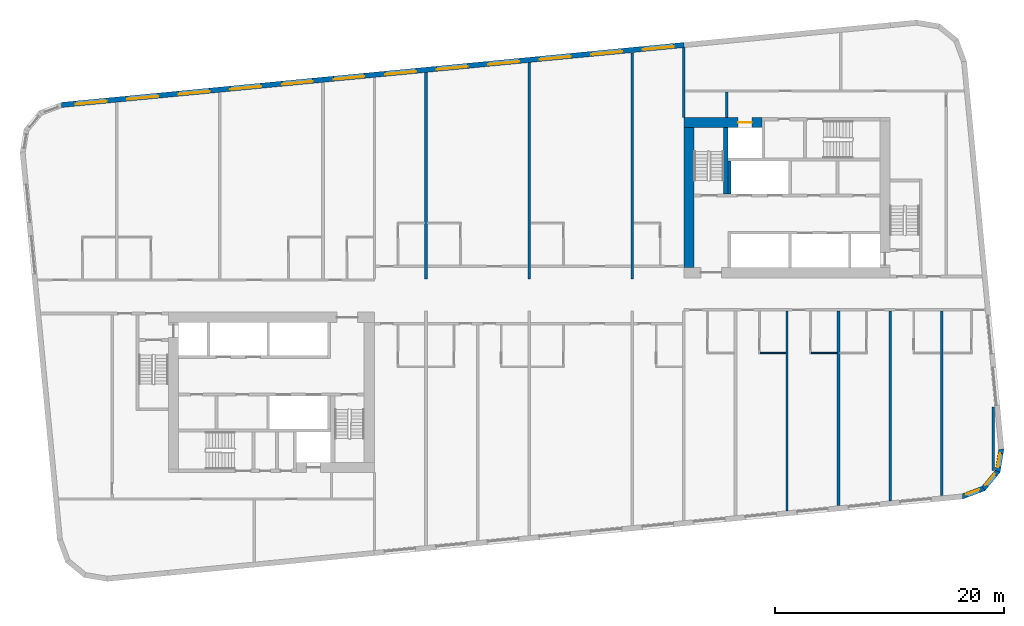
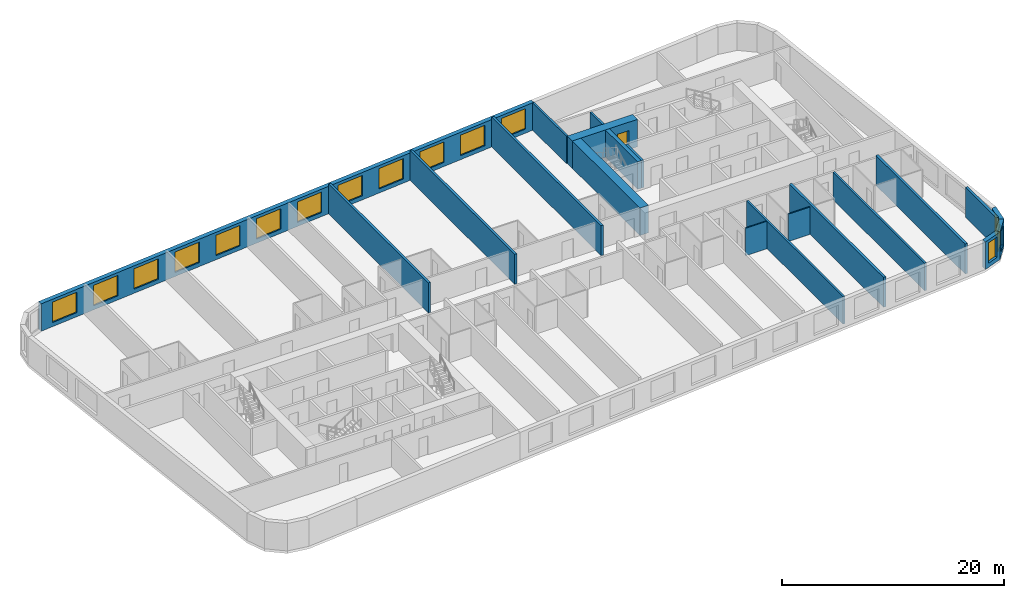
# One storey, part 6 of 12: 20 walls, 15 windows, 1 door, 16 openings.
"""IFC4 building model written with IfcOpenShell, lengths in metres."""

from ifc_helpers import new_model, si_unit, direction, frame, frame_2d, origin, place, context, subcontext, project, spatial, polyline, rectangle, outline, extrude, material, layer, layer_set, type_object, element, fill, save


model = new_model("IFC4")

# Units and contexts
model_context = context("Model", 3, precision=1e-05, world=origin(), true_north=direction((0.0, 1.0)))
body_context = subcontext(model_context, "Body", "Model", "MODEL_VIEW")
ifc_project = project(units=[si_unit("LENGTHUNIT", "METRE"), si_unit("AREAUNIT", "SQUARE_METRE"), si_unit("VOLUMEUNIT", "CUBIC_METRE"), si_unit("PLANEANGLEUNIT", "RADIAN"), si_unit("MASSUNIT", "GRAM", prefix="KILO")], contexts=[model_context])

# Site, building, storey
site_placement = place(None, origin())
site = spatial("IfcSite", under=ifc_project, at=site_placement, CompositionType="ELEMENT")
building_placement = place(site_placement, origin())
building = spatial("IfcBuilding", under=site, at=building_placement, Name="Kajstack Hotel Tower", CompositionType="ELEMENT")
storey_placement = place(building_placement, frame((0.0, 0.0, 190.0)))
storey = spatial("IfcBuildingStorey", under=building, at=storey_placement, Name="L45", CompositionType="ELEMENT", Elevation=190.0)

# Wall, opening, door
ifc_material_1 = material(Name="Concrete C60/75", Category="concrete")
ifc_layer_1 = layer(ifc_material_1, 0.89990234375)
ifc_layer_set_1 = layer_set([ifc_layer_1], Name="Core wall 900")
wall_type_1 = type_object("IfcWallType", Name="Core wall 900", PredefinedType="SHEAR", material=ifc_layer_set_1)
wall_1_placement = place(storey_placement, frame((13.5, 15.050048828125, 0.0), z_axis=(0.0, 0.0, 1.0), x_axis=(1.0, 0.0, 0.0)))
wall_1 = element("IfcWall", 1, at=wall_1_placement, inside=storey, type_object=wall_type_1, Name="Core wall E RS", PredefinedType="SHEAR", context=body_context, shape_type="SweptSolid", body=[
    extrude(rectangle(XDim=6.800048828125, YDim=0.89990234375, at=frame_2d((3.39990234375, 0.0))), origin(), (0.0, 0.0, 1.0), 3.02001953125),
])
opening_1_placement = place(wall_1_placement, frame((4.72509765625, 0.0, 0.0)))
opening_1 = element("IfcOpeningElement", 2, at=opening_1_placement, cuts=wall_1, Name="Opening LD-SV2", PredefinedType="OPENING", context=body_context, shape_type="SweptSolid", body=[
    extrude(rectangle(XDim=1.199951171875, YDim=2.10009765625, at=frame_2d((0.60009765625, 1.050048828125))), frame((0.0, 0.4599609375, 0.0), z_axis=(0.0, -1.0, 0.0), x_axis=(1.0, 0.0, 0.0)), (0.0, 0.0, 1.0), 0.919921875),
])
ifc_material_2 = material(Name="Stainless steel", Category="steel")
door_type = type_object("IfcDoorType", Name="Lift landing door 1200", OperationType="SLIDING_TO_LEFT", PredefinedType="DOOR", material=ifc_material_2)
door_placement = place(opening_1_placement, origin())
door = element("IfcDoor", 3, at=door_placement, inside=storey, type_object=door_type, Name="Landing door SV2", OperationType="SLIDING_TO_LEFT", OverallHeight=2.10009765625, OverallWidth=1.199951171875, PredefinedType="DOOR", context=body_context, shape_type="SweptSolid", body=[
    extrude(rectangle(XDim=1.199951171875, YDim=2.10009765625, at=frame_2d((0.60009765625, 1.050048828125))), frame((0.0, 0.02490234375, 0.0), z_axis=(0.0, -1.0, 0.0), x_axis=(1.0, 0.0, 0.0)), (0.0, 0.0, 1.0), 0.050048828125),
])
fill(opening_1, door)

# Walls
wall_2_placement = place(storey_placement, frame((13.949951171875, 2.39990234375, 0.0), z_axis=(0.0, 0.0, 1.0), x_axis=(0.0, 1.0, 0.0)))
element("IfcWall", 4, at=wall_2_placement, inside=storey, type_object=wall_type_1, Name="Core wall E RE", PredefinedType="SHEAR", context=body_context, shape_type="SweptSolid", body=[
    extrude(rectangle(XDim=12.2001953125, YDim=0.89990234375, at=frame_2d((6.10009765625, 0.0))), origin(), (0.0, 0.0, 1.0), 3.02001953125),
])
ifc_material_3 = material(Name="Twin-frame gypsum board on steel studs, mineral wool", Category="steel")
ifc_layer_2 = layer(ifc_material_3, 0.199951171875)
ifc_layer_set_2 = layer_set([ifc_layer_2], Name="Demising wall 200")
wall_type_2 = type_object("IfcWallType", Name="Demising wall 200", PredefinedType="PARTITIONING", material=ifc_layer_set_2)
wall_3_placement = place(storey_placement, frame((13.5, 15.5, 0.0), z_axis=(0.0, 0.0, 1.0), x_axis=(0.0, 1.0, 0.0)))
element("IfcWall", 5, at=wall_3_placement, inside=storey, type_object=wall_type_2, Name="G-wall-L45-001", PredefinedType="PARTITIONING", context=body_context, shape_type="SweptSolid", body=[
    extrude(rectangle(XDim=6.089111328125, YDim=0.199951171875, at=frame_2d((3.04443359375, 0.0))), origin(), (0.0, 0.0, 1.0), 3.02001953125),
])
wall_4_placement = place(storey_placement, frame((22.5, -18.833984375, 0.0), z_axis=(0.0, 0.0, 1.0), x_axis=(0.0, 1.0, 0.0)))
element("IfcWall", 6, at=wall_4_placement, inside=storey, type_object=wall_type_2, Name="G-wall-L45-038", PredefinedType="PARTITIONING", context=body_context, shape_type="SweptSolid", body=[
    extrude(rectangle(XDim=17.43408203125, YDim=0.199951171875, at=frame_2d((8.717041015625, 0.0))), origin(), (0.0, 0.0, 1.0), 3.02001953125),
])
wall_5_placement = place(storey_placement, frame((31.5, -17.967041015625, 0.0), z_axis=(0.0, 0.0, 1.0), x_axis=(0.0, 1.0, 0.0)))
element("IfcWall", 7, at=wall_5_placement, inside=storey, type_object=wall_type_2, Name="G-wall-L45-043", PredefinedType="PARTITIONING", context=body_context, shape_type="SweptSolid", body=[
    extrude(rectangle(XDim=16.567138671875, YDim=0.199951171875, at=frame_2d((8.28369140625, 0.0))), origin(), (0.0, 0.0, 1.0), 3.02001953125),
])

# Wall, opening, window
ifc_material_4 = material(Name="Terracotta-faced brick masonry", Category="masonry")
ifc_layer_3 = layer(ifc_material_4, 0.449951171875)
ifc_layer_set_3 = layer_set([ifc_layer_3], Name="EW-TERRA")
wall_type_3 = type_object("IfcWallType", Name="EW-TERRA", PredefinedType="SOLIDWALL", material=ifc_layer_set_3)
wall_6_placement = place(storey_placement, frame((37.76123046875, -17.598388671875, 0.0), z_axis=(0.0, 0.0, 1.0), x_axis=(0.936677599948, 0.350192909346, 0.0)))
wall_6 = element("IfcWall", 8, at=wall_6_placement, inside=storey, type_object=wall_type_3, Name="E-wall-L45-05-00", PredefinedType="SOLIDWALL", context=body_context, shape_type="SweptSolid", body=[
    extrude(outline(polyline([(0.0, -0.22509765625), (2.070556640625, -0.224853515625), (1.949951171875, 0.22509765625), (0.12060546875, 0.22509765625), (0.0, -0.22509765625)])), origin(), (0.0, 0.0, 1.0), 3.02001953125),
])
opening_2_placement = place(wall_6_placement, frame((0.435302734375, 0.0, 0.449951171875)))
opening_2 = element("IfcOpeningElement", 9, at=opening_2_placement, cuts=wall_6, Name="Opening W3", PredefinedType="OPENING", context=body_context, shape_type="SweptSolid", body=[
    extrude(rectangle(XDim=1.199951171875, YDim=2.25, at=frame_2d((0.60009765625, 1.125))), frame((0.0, 0.23486328125, 0.0), z_axis=(0.0, -1.0, 0.0), x_axis=(1.0, 0.0, 0.0)), (0.0, 0.0, 1.0), 0.469970703125),
])
ifc_material_5 = material(Name="Timber-aluminium window, triple glazed", Category="wood")
window_type_1 = type_object("IfcWindowType", Name="WG3", PartitioningType="SINGLE_PANEL", PredefinedType="WINDOW", material=ifc_material_5)
window_1_placement = place(opening_2_placement, origin())
window_1 = element("IfcWindow", 10, at=window_1_placement, inside=storey, type_object=window_type_1, Name="Window W3 L45-05", OverallHeight=2.25, OverallWidth=1.199951171875, PartitioningType="SINGLE_PANEL", PredefinedType="WINDOW", context=body_context, shape_type="SweptSolid", body=[
    extrude(rectangle(XDim=1.199951171875, YDim=2.25, at=frame_2d((0.60009765625, 1.125))), frame((0.0, 0.090087890625, 0.0), z_axis=(0.0, -1.0, 0.0), x_axis=(1.0, 0.0, 0.0)), (0.0, 0.0, 1.0), 0.06005859375),
])
fill(opening_2, window_1)

wall_7_placement = place(storey_placement, frame((39.60595703125, -16.94091796875, 0.0), z_axis=(0.0, 0.0, 1.0), x_axis=(0.636116318187, 0.771593176315, 0.0)))
wall_7 = element("IfcWall", 11, at=wall_7_placement, inside=storey, type_object=wall_type_3, Name="E-wall-L45-06-00", PredefinedType="SOLIDWALL", context=body_context, shape_type="SweptSolid", body=[
    extrude(outline(polyline([(0.0, -0.224853515625), (2.070556640625, -0.224853515625), (1.949951171875, 0.22509765625), (0.12060546875, 0.22509765625), (0.0, -0.224853515625)])), origin(), (0.0, 0.0, 1.0), 3.02001953125),
])
opening_3_placement = place(wall_7_placement, frame((0.435302734375, 0.0, 0.449951171875)))
opening_3 = element("IfcOpeningElement", 12, at=opening_3_placement, cuts=wall_7, Name="Opening W3", PredefinedType="OPENING", context=body_context, shape_type="SweptSolid", body=[
    extrude(rectangle(XDim=1.199951171875, YDim=2.25, at=frame_2d((0.60009765625, 1.125))), frame((0.0, 0.23486328125, 0.0), z_axis=(0.0, -1.0, 0.0), x_axis=(1.0, 0.0, 0.0)), (0.0, 0.0, 1.0), 0.469970703125),
])
window_2_placement = place(opening_3_placement, origin())
window_2 = element("IfcWindow", 13, at=window_2_placement, inside=storey, type_object=window_type_1, Name="Window W3 L45-06", OverallHeight=2.25, OverallWidth=1.199951171875, PartitioningType="SINGLE_PANEL", PredefinedType="WINDOW", context=body_context, shape_type="SweptSolid", body=[
    extrude(rectangle(XDim=1.199951171875, YDim=2.25, at=frame_2d((0.60009765625, 1.125))), frame((0.0, 0.090087890625, 0.0), z_axis=(0.0, -1.0, 0.0), x_axis=(1.0, 0.0, 0.0)), (0.0, 0.0, 1.0), 0.06005859375),
])
fill(opening_3, window_2)

wall_8_placement = place(storey_placement, frame((40.874755859375, -15.44921875, 0.0), z_axis=(0.0, 0.0, 1.0), x_axis=(0.164953448126, 0.986301353518, 0.0)))
wall_8 = element("IfcWall", 14, at=wall_8_placement, inside=storey, type_object=wall_type_3, Name="E-wall-L45-07-00", PredefinedType="SOLIDWALL", context=body_context, shape_type="SweptSolid", body=[
    extrude(outline(polyline([(0.0, -0.224853515625), (2.070556640625, -0.22509765625), (1.9501953125, 0.224853515625), (0.12060546875, 0.22509765625), (0.0, -0.224853515625)])), origin(), (0.0, 0.0, 1.0), 3.02001953125),
])
opening_4_placement = place(wall_8_placement, frame((0.435302734375, 0.0, 0.449951171875)))
opening_4 = element("IfcOpeningElement", 15, at=opening_4_placement, cuts=wall_8, Name="Opening W3", PredefinedType="OPENING", context=body_context, shape_type="SweptSolid", body=[
    extrude(rectangle(XDim=1.199951171875, YDim=2.25, at=frame_2d((0.60009765625, 1.125))), frame((0.0, 0.23486328125, 0.0), z_axis=(0.0, -1.0, 0.0), x_axis=(1.0, 0.0, 0.0)), (0.0, 0.0, 1.0), 0.469970703125),
])
window_3_placement = place(opening_4_placement, origin())
window_3 = element("IfcWindow", 16, at=window_3_placement, inside=storey, type_object=window_type_1, Name="Window W3 L45-07", OverallHeight=2.25, OverallWidth=1.199951171875, PartitioningType="SINGLE_PANEL", PredefinedType="WINDOW", context=body_context, shape_type="SweptSolid", body=[
    extrude(rectangle(XDim=1.199951171875, YDim=2.25, at=frame_2d((0.60009765625, 1.125))), frame((0.0, 0.090087890625, 0.0), z_axis=(0.0, -1.0, 0.0), x_axis=(1.0, 0.0, 0.0)), (0.0, 0.0, 1.0), 0.06005859375),
])
fill(opening_4, window_3)

# Wall, openings, windows
wall_9_placement = place(storey_placement, frame((13.521484375, 21.8173828125, 0.0), z_axis=(0.0, 0.0, 1.0), x_axis=(-0.995396508751, -0.095842529008, 0.0)))
wall_9 = element("IfcWall", 17, at=wall_9_placement, inside=storey, type_object=wall_type_3, Name="E-wall-L45-12-02", PredefinedType="SOLIDWALL", context=body_context, shape_type="SweptSolid", body=[
    extrude(rectangle(XDim=54.59130859375, YDim=0.449951171875, at=frame_2d((27.295654296875, 0.0))), origin(), (0.0, 0.0, 1.0), 3.02001953125),
])
opening_5_placement = place(wall_9_placement, frame((0.910400390625, 0.0, 0.449951171875)))
opening_5 = element("IfcOpeningElement", 18, at=opening_5_placement, cuts=wall_9, Name="Opening W1", PredefinedType="OPENING", context=body_context, shape_type="SweptSolid", body=[
    extrude(rectangle(XDim=2.699951171875, YDim=2.25, at=frame_2d((1.35009765625, 1.125))), frame((0.0, 0.23486328125, 0.0), z_axis=(0.0, -1.0, 0.0), x_axis=(1.0, 0.0, 0.0)), (0.0, 0.0, 1.0), 0.469970703125),
])
opening_6_placement = place(wall_9_placement, frame((5.43115234375, 0.0, 0.449951171875)))
opening_6 = element("IfcOpeningElement", 19, at=opening_6_placement, cuts=wall_9, Name="Opening W1", PredefinedType="OPENING", context=body_context, shape_type="SweptSolid", body=[
    extrude(rectangle(XDim=2.699951171875, YDim=2.25, at=frame_2d((1.35009765625, 1.125))), frame((0.0, 0.23486328125, 0.0), z_axis=(0.0, -1.0, 0.0), x_axis=(1.0, 0.0, 0.0)), (0.0, 0.0, 1.0), 0.469970703125),
])
opening_7_placement = place(wall_9_placement, frame((9.951904296875, 0.0, 0.449951171875)))
opening_7 = element("IfcOpeningElement", 20, at=opening_7_placement, cuts=wall_9, Name="Opening W1", PredefinedType="OPENING", context=body_context, shape_type="SweptSolid", body=[
    extrude(rectangle(XDim=2.699951171875, YDim=2.25, at=frame_2d((1.35009765625, 1.125))), frame((0.0, 0.23486328125, 0.0), z_axis=(0.0, -1.0, 0.0), x_axis=(1.0, 0.0, 0.0)), (0.0, 0.0, 1.0), 0.469970703125),
])
opening_8_placement = place(wall_9_placement, frame((14.472900390625, 0.0, 0.449951171875)))
opening_8 = element("IfcOpeningElement", 21, at=opening_8_placement, cuts=wall_9, Name="Opening W1", PredefinedType="OPENING", context=body_context, shape_type="SweptSolid", body=[
    extrude(rectangle(XDim=2.699951171875, YDim=2.25, at=frame_2d((1.35009765625, 1.125))), frame((0.0, 0.23486328125, 0.0), z_axis=(0.0, -1.0, 0.0), x_axis=(1.0, 0.0, 0.0)), (0.0, 0.0, 1.0), 0.469970703125),
])
opening_9_placement = place(wall_9_placement, frame((18.99365234375, 0.0, 0.449951171875)))
opening_9 = element("IfcOpeningElement", 22, at=opening_9_placement, cuts=wall_9, Name="Opening W1", PredefinedType="OPENING", context=body_context, shape_type="SweptSolid", body=[
    extrude(rectangle(XDim=2.699951171875, YDim=2.25, at=frame_2d((1.35009765625, 1.125))), frame((0.0, 0.23486328125, 0.0), z_axis=(0.0, -1.0, 0.0), x_axis=(1.0, 0.0, 0.0)), (0.0, 0.0, 1.0), 0.469970703125),
])
opening_10_placement = place(wall_9_placement, frame((23.514404296875, 0.0, 0.449951171875)))
opening_10 = element("IfcOpeningElement", 23, at=opening_10_placement, cuts=wall_9, Name="Opening W1", PredefinedType="OPENING", context=body_context, shape_type="SweptSolid", body=[
    extrude(rectangle(XDim=2.699951171875, YDim=2.25, at=frame_2d((1.35009765625, 1.125))), frame((0.0, 0.23486328125, 0.0), z_axis=(0.0, -1.0, 0.0), x_axis=(1.0, 0.0, 0.0)), (0.0, 0.0, 1.0), 0.469970703125),
])
opening_11_placement = place(wall_9_placement, frame((28.03515625, 0.0, 0.449951171875)))
opening_11 = element("IfcOpeningElement", 24, at=opening_11_placement, cuts=wall_9, Name="Opening W1", PredefinedType="OPENING", context=body_context, shape_type="SweptSolid", body=[
    extrude(rectangle(XDim=2.699951171875, YDim=2.25, at=frame_2d((1.35009765625, 1.125))), frame((0.0, 0.23486328125, 0.0), z_axis=(0.0, -1.0, 0.0), x_axis=(1.0, 0.0, 0.0)), (0.0, 0.0, 1.0), 0.469970703125),
])
opening_12_placement = place(wall_9_placement, frame((32.555908203125, 0.0, 0.449951171875)))
opening_12 = element("IfcOpeningElement", 25, at=opening_12_placement, cuts=wall_9, Name="Opening W1", PredefinedType="OPENING", context=body_context, shape_type="SweptSolid", body=[
    extrude(rectangle(XDim=2.699951171875, YDim=2.25, at=frame_2d((1.35009765625, 1.125))), frame((0.0, 0.23486328125, 0.0), z_axis=(0.0, -1.0, 0.0), x_axis=(1.0, 0.0, 0.0)), (0.0, 0.0, 1.0), 0.469970703125),
])
opening_13_placement = place(wall_9_placement, frame((37.076904296875, 0.0, 0.449951171875)))
opening_13 = element("IfcOpeningElement", 26, at=opening_13_placement, cuts=wall_9, Name="Opening W1", PredefinedType="OPENING", context=body_context, shape_type="SweptSolid", body=[
    extrude(rectangle(XDim=2.699951171875, YDim=2.25, at=frame_2d((1.35009765625, 1.125))), frame((0.0, 0.23486328125, 0.0), z_axis=(0.0, -1.0, 0.0), x_axis=(1.0, 0.0, 0.0)), (0.0, 0.0, 1.0), 0.469970703125),
])
opening_14_placement = place(wall_9_placement, frame((41.59765625, 0.0, 0.449951171875)))
opening_14 = element("IfcOpeningElement", 27, at=opening_14_placement, cuts=wall_9, Name="Opening W1", PredefinedType="OPENING", context=body_context, shape_type="SweptSolid", body=[
    extrude(rectangle(XDim=2.699951171875, YDim=2.25, at=frame_2d((1.35009765625, 1.125))), frame((0.0, 0.23486328125, 0.0), z_axis=(0.0, -1.0, 0.0), x_axis=(1.0, 0.0, 0.0)), (0.0, 0.0, 1.0), 0.469970703125),
])
opening_15_placement = place(wall_9_placement, frame((46.118408203125, 0.0, 0.449951171875)))
opening_15 = element("IfcOpeningElement", 28, at=opening_15_placement, cuts=wall_9, Name="Opening W1", PredefinedType="OPENING", context=body_context, shape_type="SweptSolid", body=[
    extrude(rectangle(XDim=2.699951171875, YDim=2.25, at=frame_2d((1.35009765625, 1.125))), frame((0.0, 0.23486328125, 0.0), z_axis=(0.0, -1.0, 0.0), x_axis=(1.0, 0.0, 0.0)), (0.0, 0.0, 1.0), 0.469970703125),
])
opening_16_placement = place(wall_9_placement, frame((50.62890625, 0.0, 0.449951171875)))
opening_16 = element("IfcOpeningElement", 29, at=opening_16_placement, cuts=wall_9, Name="Opening W1", PredefinedType="OPENING", context=body_context, shape_type="SweptSolid", body=[
    extrude(rectangle(XDim=2.699951171875, YDim=2.25, at=frame_2d((1.35009765625, 1.125))), frame((0.0, 0.23486328125, 0.0), z_axis=(0.0, -1.0, 0.0), x_axis=(1.0, 0.0, 0.0)), (0.0, 0.0, 1.0), 0.469970703125),
])
window_type_2 = type_object("IfcWindowType", Name="WG1", PartitioningType="SINGLE_PANEL", PredefinedType="WINDOW", material=ifc_material_5)
window_4_placement = place(opening_5_placement, origin())
window_4 = element("IfcWindow", 30, at=window_4_placement, inside=storey, type_object=window_type_2, Name="Window W1 L45-12", OverallHeight=2.25, OverallWidth=2.699951171875, PartitioningType="SINGLE_PANEL", PredefinedType="WINDOW", context=body_context, shape_type="SweptSolid", body=[
    extrude(rectangle(XDim=2.699951171875, YDim=2.25, at=frame_2d((1.35009765625, 1.125))), frame((0.0, 0.090087890625, 0.0), z_axis=(0.0, -1.0, 0.0), x_axis=(1.0, 0.0, 0.0)), (0.0, 0.0, 1.0), 0.06005859375),
])
fill(opening_5, window_4)
window_5_placement = place(opening_6_placement, origin())
window_5 = element("IfcWindow", 31, at=window_5_placement, inside=storey, type_object=window_type_2, Name="Window W1 L45-12", OverallHeight=2.25, OverallWidth=2.699951171875, PartitioningType="SINGLE_PANEL", PredefinedType="WINDOW", context=body_context, shape_type="SweptSolid", body=[
    extrude(rectangle(XDim=2.699951171875, YDim=2.25, at=frame_2d((1.35009765625, 1.125))), frame((0.0, 0.090087890625, 0.0), z_axis=(0.0, -1.0, 0.0), x_axis=(1.0, 0.0, 0.0)), (0.0, 0.0, 1.0), 0.06005859375),
])
fill(opening_6, window_5)
window_6_placement = place(opening_7_placement, origin())
window_6 = element("IfcWindow", 32, at=window_6_placement, inside=storey, type_object=window_type_2, Name="Window W1 L45-12", OverallHeight=2.25, OverallWidth=2.699951171875, PartitioningType="SINGLE_PANEL", PredefinedType="WINDOW", context=body_context, shape_type="SweptSolid", body=[
    extrude(rectangle(XDim=2.699951171875, YDim=2.25, at=frame_2d((1.35009765625, 1.125))), frame((0.0, 0.090087890625, 0.0), z_axis=(0.0, -1.0, 0.0), x_axis=(1.0, 0.0, 0.0)), (0.0, 0.0, 1.0), 0.06005859375),
])
fill(opening_7, window_6)
window_7_placement = place(opening_8_placement, origin())
window_7 = element("IfcWindow", 33, at=window_7_placement, inside=storey, type_object=window_type_2, Name="Window W1 L45-12", OverallHeight=2.25, OverallWidth=2.699951171875, PartitioningType="SINGLE_PANEL", PredefinedType="WINDOW", context=body_context, shape_type="SweptSolid", body=[
    extrude(rectangle(XDim=2.699951171875, YDim=2.25, at=frame_2d((1.35009765625, 1.125))), frame((0.0, 0.090087890625, 0.0), z_axis=(0.0, -1.0, 0.0), x_axis=(1.0, 0.0, 0.0)), (0.0, 0.0, 1.0), 0.06005859375),
])
fill(opening_8, window_7)
window_8_placement = place(opening_9_placement, origin())
window_8 = element("IfcWindow", 34, at=window_8_placement, inside=storey, type_object=window_type_2, Name="Window W1 L45-12", OverallHeight=2.25, OverallWidth=2.699951171875, PartitioningType="SINGLE_PANEL", PredefinedType="WINDOW", context=body_context, shape_type="SweptSolid", body=[
    extrude(rectangle(XDim=2.699951171875, YDim=2.25, at=frame_2d((1.35009765625, 1.125))), frame((0.0, 0.090087890625, 0.0), z_axis=(0.0, -1.0, 0.0), x_axis=(1.0, 0.0, 0.0)), (0.0, 0.0, 1.0), 0.06005859375),
])
fill(opening_9, window_8)
window_9_placement = place(opening_10_placement, origin())
window_9 = element("IfcWindow", 35, at=window_9_placement, inside=storey, type_object=window_type_2, Name="Window W1 L45-12", OverallHeight=2.25, OverallWidth=2.699951171875, PartitioningType="SINGLE_PANEL", PredefinedType="WINDOW", context=body_context, shape_type="SweptSolid", body=[
    extrude(rectangle(XDim=2.699951171875, YDim=2.25, at=frame_2d((1.35009765625, 1.125))), frame((0.0, 0.090087890625, 0.0), z_axis=(0.0, -1.0, 0.0), x_axis=(1.0, 0.0, 0.0)), (0.0, 0.0, 1.0), 0.06005859375),
])
fill(opening_10, window_9)
window_10_placement = place(opening_11_placement, origin())
window_10 = element("IfcWindow", 36, at=window_10_placement, inside=storey, type_object=window_type_2, Name="Window W1 L45-12", OverallHeight=2.25, OverallWidth=2.699951171875, PartitioningType="SINGLE_PANEL", PredefinedType="WINDOW", context=body_context, shape_type="SweptSolid", body=[
    extrude(rectangle(XDim=2.699951171875, YDim=2.25, at=frame_2d((1.35009765625, 1.125))), frame((0.0, 0.090087890625, 0.0), z_axis=(0.0, -1.0, 0.0), x_axis=(1.0, 0.0, 0.0)), (0.0, 0.0, 1.0), 0.06005859375),
])
fill(opening_11, window_10)
window_11_placement = place(opening_12_placement, origin())
window_11 = element("IfcWindow", 37, at=window_11_placement, inside=storey, type_object=window_type_2, Name="Window W1 L45-12", OverallHeight=2.25, OverallWidth=2.699951171875, PartitioningType="SINGLE_PANEL", PredefinedType="WINDOW", context=body_context, shape_type="SweptSolid", body=[
    extrude(rectangle(XDim=2.699951171875, YDim=2.25, at=frame_2d((1.35009765625, 1.125))), frame((0.0, 0.090087890625, 0.0), z_axis=(0.0, -1.0, 0.0), x_axis=(1.0, 0.0, 0.0)), (0.0, 0.0, 1.0), 0.06005859375),
])
fill(opening_12, window_11)
window_12_placement = place(opening_13_placement, origin())
window_12 = element("IfcWindow", 38, at=window_12_placement, inside=storey, type_object=window_type_2, Name="Window W1 L45-12", OverallHeight=2.25, OverallWidth=2.699951171875, PartitioningType="SINGLE_PANEL", PredefinedType="WINDOW", context=body_context, shape_type="SweptSolid", body=[
    extrude(rectangle(XDim=2.699951171875, YDim=2.25, at=frame_2d((1.35009765625, 1.125))), frame((0.0, 0.090087890625, 0.0), z_axis=(0.0, -1.0, 0.0), x_axis=(1.0, 0.0, 0.0)), (0.0, 0.0, 1.0), 0.06005859375),
])
fill(opening_13, window_12)
window_13_placement = place(opening_14_placement, origin())
window_13 = element("IfcWindow", 39, at=window_13_placement, inside=storey, type_object=window_type_2, Name="Window W1 L45-12", OverallHeight=2.25, OverallWidth=2.699951171875, PartitioningType="SINGLE_PANEL", PredefinedType="WINDOW", context=body_context, shape_type="SweptSolid", body=[
    extrude(rectangle(XDim=2.699951171875, YDim=2.25, at=frame_2d((1.35009765625, 1.125))), frame((0.0, 0.090087890625, 0.0), z_axis=(0.0, -1.0, 0.0), x_axis=(1.0, 0.0, 0.0)), (0.0, 0.0, 1.0), 0.06005859375),
])
fill(opening_14, window_13)
window_14_placement = place(opening_15_placement, origin())
window_14 = element("IfcWindow", 40, at=window_14_placement, inside=storey, type_object=window_type_2, Name="Window W1 L45-12", OverallHeight=2.25, OverallWidth=2.699951171875, PartitioningType="SINGLE_PANEL", PredefinedType="WINDOW", context=body_context, shape_type="SweptSolid", body=[
    extrude(rectangle(XDim=2.699951171875, YDim=2.25, at=frame_2d((1.35009765625, 1.125))), frame((0.0, 0.090087890625, 0.0), z_axis=(0.0, -1.0, 0.0), x_axis=(1.0, 0.0, 0.0)), (0.0, 0.0, 1.0), 0.06005859375),
])
fill(opening_15, window_14)
window_15_placement = place(opening_16_placement, origin())
window_15 = element("IfcWindow", 41, at=window_15_placement, inside=storey, type_object=window_type_2, Name="Window W1 L45-12", OverallHeight=2.25, OverallWidth=2.699951171875, PartitioningType="SINGLE_PANEL", PredefinedType="WINDOW", context=body_context, shape_type="SweptSolid", body=[
    extrude(rectangle(XDim=2.699951171875, YDim=2.25, at=frame_2d((1.35009765625, 1.125))), frame((0.0, 0.090087890625, 0.0), z_axis=(0.0, -1.0, 0.0), x_axis=(1.0, 0.0, 0.0)), (0.0, 0.0, 1.0), 0.06005859375),
])
fill(opening_16, window_15)

# Walls
ifc_material_6 = material(Name="Gypsum board and tiled backer on steel studs", Category="steel")
ifc_layer_4 = layer(ifc_material_6, 0.125)
ifc_layer_set_4 = layer_set([ifc_layer_4], Name="En-suite wall 125")
wall_type_4 = type_object("IfcWallType", Name="En-suite wall 125", PredefinedType="PARTITIONING", material=ifc_layer_set_4)
for number, where, z_axis, x_axis, name in (
    (42, (20.14990234375, -5.06201171875, 0.0), (0.0, 0.0, 1.0), (1.0, 0.0, 0.0), "G-wall-L45-040"),
    (43, (24.625, -5.06201171875, 0.0), (0.0, 0.0, 1.0), (1.0, 0.0, 0.0), "G-wall-L45-042"),
):
    element("IfcWall", number, at=place(storey_placement, frame(where, z_axis=z_axis, x_axis=x_axis)), inside=storey, type_object=wall_type_4, Name=name, PredefinedType="PARTITIONING", context=body_context, shape_type="SweptSolid", body=[
        extrude(rectangle(XDim=2.25, YDim=0.125, at=frame_2d((1.125, 0.0))), origin(), (0.0, 0.0, 1.0), 3.02001953125),
    ])
ifc_material_7 = material(Name="Concrete C50/60", Category="concrete")
ifc_layer_5 = layer(ifc_material_7, 0.25)
ifc_layer_set_5 = layer_set([ifc_layer_5], Name="RC cross wall 250 C50/60")
wall_type_5 = type_object("IfcWallType", Name="RC cross wall 250 C50/60", PredefinedType="SHEAR", material=ifc_layer_set_5)
wall_10_placement = place(storey_placement, frame((-9.0, 1.39990234375, 0.0), z_axis=(0.0, 0.0, 1.0), x_axis=(0.0, 1.0, 0.0)))
element("IfcWall", 44, at=wall_10_placement, inside=storey, type_object=wall_type_5, Name="S-wall-L45-05", PredefinedType="SHEAR", context=body_context, shape_type="SweptSolid", body=[
    extrude(rectangle(XDim=18.0009765625, YDim=0.25, at=frame_2d((9.00048828125, 0.0))), origin(), (0.0, 0.0, 1.0), 3.300048828125),
])
wall_11_placement = place(storey_placement, frame((0.0, 1.39990234375, 0.0), z_axis=(0.0, 0.0, 1.0), x_axis=(0.0, 1.0, 0.0)))
element("IfcWall", 45, at=wall_11_placement, inside=storey, type_object=wall_type_5, Name="S-wall-L45-07", PredefinedType="SHEAR", context=body_context, shape_type="SweptSolid", body=[
    extrude(rectangle(XDim=18.867431640625, YDim=0.25, at=frame_2d((9.43359375, 0.0))), origin(), (0.0, 0.0, 1.0), 3.300048828125),
])
wall_12_placement = place(storey_placement, frame((9.0, 1.39990234375, 0.0), z_axis=(0.0, 0.0, 1.0), x_axis=(0.0, 1.0, 0.0)))
element("IfcWall", 46, at=wall_12_placement, inside=storey, type_object=wall_type_5, Name="S-wall-L45-09", PredefinedType="SHEAR", context=body_context, shape_type="SweptSolid", body=[
    extrude(rectangle(XDim=19.734130859375, YDim=0.25, at=frame_2d((9.8671875, 0.0))), origin(), (0.0, 0.0, 1.0), 3.300048828125),
])
wall_13_placement = place(storey_placement, frame((27.0, -18.378662109375, 0.0), z_axis=(0.0, 0.0, 1.0), x_axis=(0.0, 1.0, 0.0)))
element("IfcWall", 47, at=wall_13_placement, inside=storey, type_object=wall_type_5, Name="S-wall-L45-11", PredefinedType="SHEAR", context=body_context, shape_type="SweptSolid", body=[
    extrude(rectangle(XDim=16.978759765625, YDim=0.25, at=frame_2d((8.4892578125, 0.0))), origin(), (0.0, 0.0, 1.0), 3.300048828125),
])
wall_14_placement = place(storey_placement, frame((36.0, -17.51220703125, 0.0), z_axis=(0.0, 0.0, 1.0), x_axis=(0.0, 1.0, 0.0)))
element("IfcWall", 48, at=wall_14_placement, inside=storey, type_object=wall_type_5, Name="S-wall-L45-12", PredefinedType="SHEAR", context=body_context, shape_type="SweptSolid", body=[
    extrude(rectangle(XDim=16.1123046875, YDim=0.25, at=frame_2d((8.05615234375, 0.0))), origin(), (0.0, 0.0, 1.0), 3.300048828125),
])
wall_15_placement = place(storey_placement, frame((40.5, -15.335205078125, 0.0), z_axis=(0.0, 0.0, 1.0), x_axis=(0.0, 1.0, 0.0)))
element("IfcWall", 49, at=wall_15_placement, inside=storey, type_object=wall_type_5, Name="S-wall-L45-13", PredefinedType="SHEAR", context=body_context, shape_type="SweptSolid", body=[
    extrude(rectangle(XDim=5.5380859375, YDim=0.25, at=frame_2d((2.76904296875, 0.0))), origin(), (0.0, 0.0, 1.0), 3.300048828125),
])
ifc_material_8 = material(Name="Gypsum board on steel studs, mineral wool", Category="steel")
ifc_layer_6 = layer(ifc_material_8, 0.199951171875)
ifc_layer_set_6 = layer_set([ifc_layer_6], Name="Service partition 200")
wall_type_6 = type_object("IfcWallType", Name="Service partition 200", PredefinedType="PARTITIONING", material=ifc_layer_set_6)
wall_16_placement = place(storey_placement, frame((17.25, 15.5, 0.0), z_axis=(0.0, 0.0, 1.0), x_axis=(0.0, 1.0, 0.0)))
element("IfcWall", 50, at=wall_16_placement, inside=storey, type_object=wall_type_6, Name="Partition E SCE", PredefinedType="PARTITIONING", context=body_context, shape_type="SweptSolid", body=[
    extrude(rectangle(XDim=2.199951171875, YDim=0.199951171875, at=frame_2d((1.10009765625, 0.0))), origin(), (0.0, 0.0, 1.0), 3.02001953125),
])
ifc_layer_7 = layer(ifc_material_7, 0.25)
ifc_layer_set_7 = layer_set([ifc_layer_7], Name="Shaft wall 250")
wall_type_7 = type_object("IfcWallType", Name="Shaft wall 250", PredefinedType="SHEAR", material=ifc_layer_set_7)
wall_17_placement = place(storey_placement, frame((17.47509765625, 8.800048828125, 0.0), z_axis=(0.0, 0.0, 1.0), x_axis=(0.0, 1.0, 0.0)))
element("IfcWall", 51, at=wall_17_placement, inside=storey, type_object=wall_type_7, Name="Core wall E BE", PredefinedType="SHEAR", context=body_context, shape_type="SweptSolid", body=[
    extrude(rectangle(XDim=2.89990234375, YDim=0.25, at=frame_2d((1.449951171875, 0.0))), origin(), (0.0, 0.0, 1.0), 3.02001953125),
])
ifc_layer_8 = layer(ifc_material_7, 0.39990234375)
ifc_layer_set_8 = layer_set([ifc_layer_8], Name="Stair wall 400")
wall_type_8 = type_object("IfcWallType", Name="Stair wall 400", PredefinedType="SHEAR", material=ifc_layer_set_8)
wall_18_placement = place(storey_placement, frame((17.14990234375, 8.800048828125, 0.0), z_axis=(0.0, 0.0, 1.0), x_axis=(0.0, 1.0, 0.0)))
element("IfcWall", 52, at=wall_18_placement, inside=storey, type_object=wall_type_8, Name="Core wall E WW2", PredefinedType="SHEAR", context=body_context, shape_type="SweptSolid", body=[
    extrude(rectangle(XDim=5.800048828125, YDim=0.39990234375, at=frame_2d((2.89990234375, 0.0))), origin(), (0.0, 0.0, 1.0), 3.02001953125),
])

save(model, "model.ifc")
